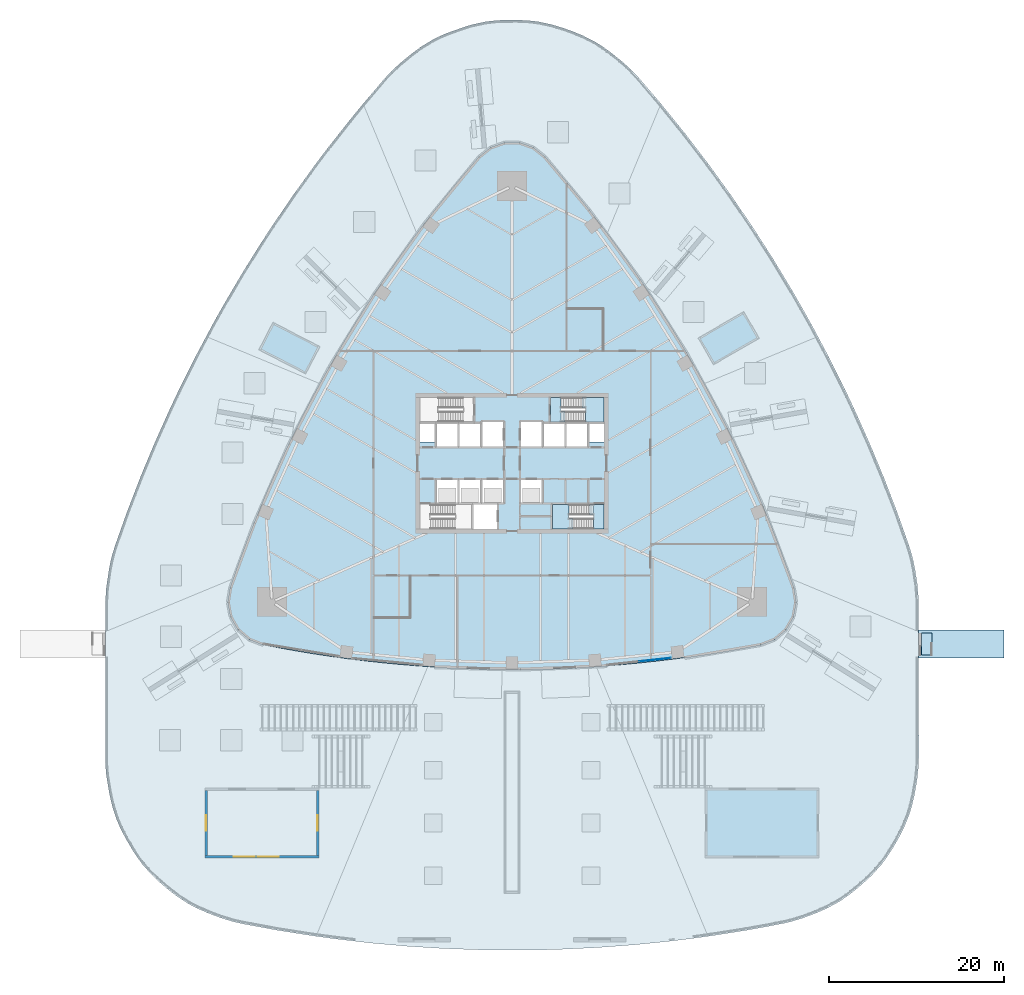
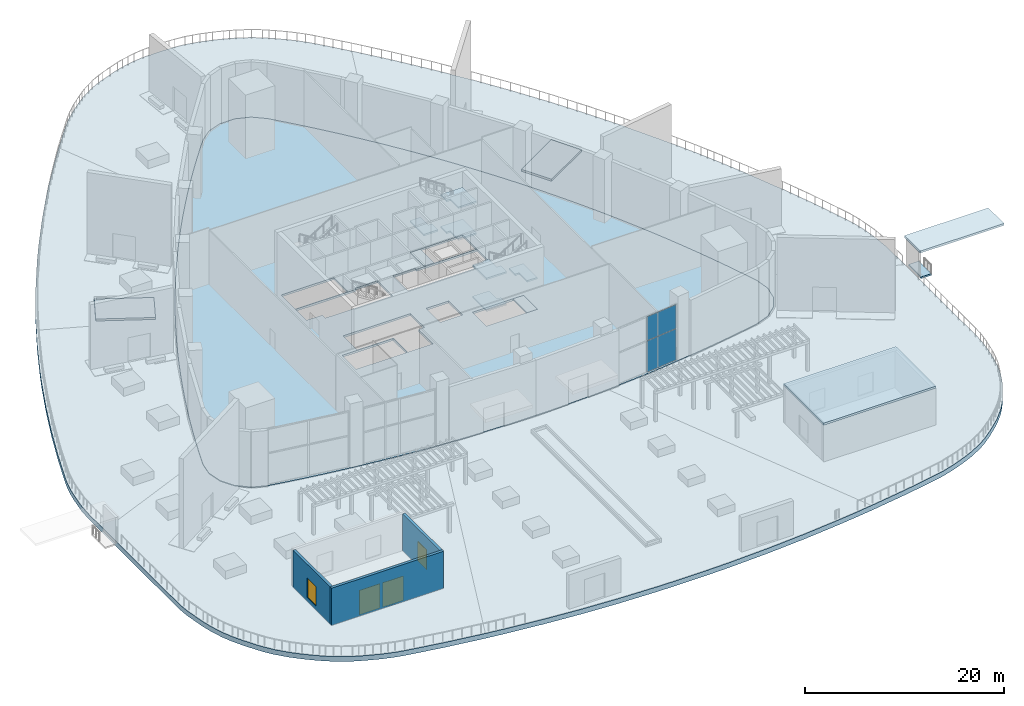
# One storey, part 7 of 20: 15 slabs, 3 walls, 2 doors, 2 plates, 2 windows, 4 openings, 3 elements without a shape of their own.
"""IFC4 building model written with IfcOpenShell, lengths in metres."""

from ifc_helpers import new_model, si_unit, direction, frame, frame_2d, origin, origin_2d, place, context, subcontext, project, spatial, polyline, rectangle, outline, extrude, material, layer, layer_set, type_object, element, fill, aggregate, save


model = new_model("IFC4")

# Units and contexts
model_context = context("Model", 3, precision=1e-05, world=origin(), true_north=direction((0.0, 1.0)))
body_context = subcontext(model_context, "Body", "Model", "MODEL_VIEW")
ifc_project = project(units=[si_unit("LENGTHUNIT", "METRE"), si_unit("AREAUNIT", "SQUARE_METRE"), si_unit("VOLUMEUNIT", "CUBIC_METRE"), si_unit("PLANEANGLEUNIT", "RADIAN"), si_unit("MASSUNIT", "GRAM", prefix="KILO")], contexts=[model_context])

# Site, building, storey
site_placement = place(None, origin())
site = spatial("IfcSite", under=ifc_project, at=site_placement, CompositionType="ELEMENT")
building_placement = place(site_placement, origin())
building = spatial("IfcBuilding", under=site, at=building_placement, Name="Sierra Prisma Convention Tower", CompositionType="ELEMENT")
storey_placement = place(building_placement, frame((0.0, 0.0, 9.0)))
storey = spatial("IfcBuildingStorey", under=building, at=storey_placement, Name="L01", CompositionType="ELEMENT", Elevation=9.0)

# Curtain wall, plates
ifc_material_1 = material(Name="Aluminium, bronze anodised", Category="aluminium")
ifc_layer_1 = layer(ifc_material_1, 0.199951171875)
ifc_layer_set_1 = layer_set([ifc_layer_1], Name="CW-3 curtain wall")
curtain_wall_type = type_object("IfcCurtainWallType", Name="CW-3 curtain wall", PredefinedType="NOTDEFINED", material=ifc_layer_set_1)
curtain_wall_placement = place(storey_placement, origin())
curtain_wall = element("IfcCurtainWall", 1, at=curtain_wall_placement, inside=storey, type_object=curtain_wall_type, Name="CW-3 curtain wall", PredefinedType="NOTDEFINED")
ifc_material_2 = material(Name="Tinted laminated glass", Category="glass")
ifc_layer_2 = layer(ifc_material_2, 0.028076171875)
ifc_layer_set_2 = layer_set([ifc_layer_2], Name="CW-3 panel 28 mm")
plate_type = type_object("IfcPlateType", Name="CW-3 panel 28 mm", PredefinedType="CURTAIN_PANEL", material=ifc_layer_set_2)
plate_1_placement = place(storey_placement, frame((16.2900390625, -22.39599609375, 0.06005859375), z_axis=(0.0, 0.0, 1.0), x_axis=(-0.994084801286, -0.10860666578, 0.0)))
plate_1 = element("IfcPlate", 2, at=plate_1_placement, type_object=plate_type, Name="CW-3 panel 1.1", PredefinedType="CURTAIN_PANEL", context=body_context, shape_type="SweptSolid", body=[
    extrude(rectangle(XDim=3.601806640625, YDim=0.028076171875, at=origin_2d()), origin(), (0.0, 0.0, 1.0), 3.81005859375),
])
plate_2_placement = place(storey_placement, frame((16.2900390625, -22.39599609375, 3.93017578125), z_axis=(0.0, 0.0, 1.0), x_axis=(-0.994084801286, -0.10860666578, 0.0)))
plate_2 = element("IfcPlate", 3, at=plate_2_placement, type_object=plate_type, Name="CW-3 panel 1.2", PredefinedType="CURTAIN_PANEL", context=body_context, shape_type="SweptSolid", body=[
    extrude(rectangle(XDim=3.601806640625, YDim=0.028076171875, at=origin_2d()), origin(), (0.0, 0.0, 1.0), 2.909912109375),
])
aggregate(curtain_wall, [plate_1, plate_2])

# Slabs
ifc_material_3 = material(Name="Concrete C35/45", Category="concrete")
ifc_layer_3 = layer(ifc_material_3, 0.25)
ifc_layer_set_3 = layer_set([ifc_layer_3], Name="Convention floor slab 250")
slab_type_1 = type_object("IfcSlabType", Name="Convention floor slab 250", PredefinedType="FLOOR", material=ifc_layer_set_3)
slab_1_placement = place(storey_placement, frame((0.0, 0.0, -0.25)))
element("IfcSlab", 4, at=slab_1_placement, inside=storey, type_object=slab_type_1, Name="Floor slab L01 tower", PredefinedType="FLOOR", context=body_context, shape_type="SweptSolid", body=[
    extrude(outline(polyline([(-28.3349609375, -20.696533203125), (-26.403564453125, -21.06884765625), (-24.467529296875, -21.414794921875), (-22.52685546875, -21.734375), (-20.581787109375, -22.027587890625), (-18.63330078125, -22.29443359375), (-16.68115234375, -22.53466796875), (-14.725830078125, -22.748291015625), (-12.767822265625, -22.93505859375), (-10.8076171875, -23.095458984375), (-8.845458984375, -23.229248046875), (-6.88134765625, -23.336181640625), (-4.916259765625, -23.41650390625), (-2.9501953125, -23.469970703125), (-0.9833984375, -23.49658203125), (0.9833984375, -23.49658203125), (2.9501953125, -23.469970703125), (4.916259765625, -23.41650390625), (6.88134765625, -23.336181640625), (8.845458984375, -23.229248046875), (10.8076171875, -23.095458984375), (12.767822265625, -22.93505859375), (14.725830078125, -22.748291015625), (16.68115234375, -22.53466796875), (18.63330078125, -22.29443359375), (20.581787109375, -22.027587890625), (22.52685546875, -21.734375), (24.467529296875, -21.414794921875), (26.403564453125, -21.06884765625), (28.3349609375, -20.696533203125), (29.913818359375, -20.089111328125), (31.199951171875, -18.989990234375), (32.045654296875, -17.52490234375), (32.354736328125, -15.861572265625), (32.091064453125, -14.1904296875), (31.447998046875, -12.331787109375), (30.779541015625, -10.48193359375), (30.0859375, -8.6416015625), (29.367431640625, -6.810546875), (28.6240234375, -4.98974609375), (27.85595703125, -3.178955078125), (27.0634765625, -1.37890625), (26.246337890625, 0.41015625), (25.405029296875, 2.18798828125), (24.539794921875, 3.954345703125), (23.650390625, 5.70849609375), (22.7373046875, 7.45068359375), (21.800537109375, 9.18017578125), (20.84033203125, 10.896728515625), (19.85693359375, 12.60009765625), (18.8505859375, 14.289794921875), (17.821044921875, 15.9658203125), (16.76904296875, 17.62744140625), (15.6943359375, 19.27490234375), (14.597412109375, 20.907470703125), (13.478515625, 22.52490234375), (12.337646484375, 24.126953125), (11.175048828125, 25.713623046875), (9.990966796875, 27.283935546875), (8.78564453125, 28.83837890625), (7.559326171875, 30.3759765625), (6.31201171875, 31.89697265625), (5.04443359375, 33.400634765625), (3.75634765625, 34.886962890625), (2.440673828125, 35.95068359375), (0.845947265625, 36.514892578125), (-0.845947265625, 36.514892578125), (-2.440673828125, 35.95068359375), (-3.75634765625, 34.886962890625), (-5.04443359375, 33.400634765625), (-6.31201171875, 31.89697265625), (-7.559326171875, 30.3759765625), (-8.78564453125, 28.83837890625), (-9.990966796875, 27.283935546875), (-11.175048828125, 25.713623046875), (-12.337646484375, 24.126953125), (-13.478515625, 22.52490234375), (-14.597412109375, 20.907470703125), (-15.6943359375, 19.27490234375), (-16.76904296875, 17.62744140625), (-17.821044921875, 15.9658203125), (-18.8505859375, 14.289794921875), (-19.85693359375, 12.60009765625), (-20.84033203125, 10.896728515625), (-21.800537109375, 9.18017578125), (-22.7373046875, 7.45068359375), (-23.650390625, 5.70849609375), (-24.539794921875, 3.954345703125), (-25.405029296875, 2.18798828125), (-26.246337890625, 0.41015625), (-27.0634765625, -1.37890625), (-27.85595703125, -3.178955078125), (-28.6240234375, -4.98974609375), (-29.367431640625, -6.810546875), (-30.0859375, -8.6416015625), (-30.779541015625, -10.48193359375), (-31.447998046875, -12.331787109375), (-32.091064453125, -14.1904296875), (-32.354736328125, -15.861572265625), (-32.045654296875, -17.52490234375), (-31.199951171875, -18.989990234375), (-29.913818359375, -20.089111328125), (-28.3349609375, -20.696533203125)]), holes=[polyline([(-4.60009765625, -7.5), (-10.5, -7.5), (-10.5, -4.699951171875), (-4.60009765625, -4.699951171875), (-4.60009765625, -7.5)]), polyline([(-8.699951171875, -4.60009765625), (-8.699951171875, -1.800048828125), (-6.10009765625, -1.800048828125), (-3.5, -1.800048828125), (-0.89990234375, -1.800048828125), (-0.89990234375, -4.60009765625), (-1.60009765625, -4.60009765625), (-1.60009765625, -7.5), (-4.5, -7.5), (-4.5, -4.60009765625), (-6.10009765625, -4.60009765625), (-8.699951171875, -4.60009765625)]), polyline([(-10.5, 4.60009765625), (-8.699951171875, 4.60009765625), (-6.10009765625, 4.60009765625), (-3.5, 4.60009765625), (-3.5, 4.800048828125), (-0.89990234375, 4.800048828125), (-0.89990234375, 1.800048828125), (-3.5, 1.800048828125), (-6.10009765625, 1.800048828125), (-8.699951171875, 1.800048828125), (-8.699951171875, 2.39990234375), (-10.5, 2.39990234375), (-10.5, 4.60009765625)]), polyline([(-4.39990234375, 4.699951171875), (-10.5, 4.699951171875), (-10.5, 7.5), (-4.39990234375, 7.5), (-4.39990234375, 4.699951171875)]), polyline([(10.5, -7.5), (4.60009765625, -7.5), (4.60009765625, -4.699951171875), (10.5, -4.699951171875), (10.5, -7.5)]), polyline([(3.5, -4.60009765625), (0.89990234375, -4.60009765625), (0.89990234375, -1.800048828125), (3.5, -1.800048828125), (3.5, -4.60009765625)]), polyline([(10.5, 4.60009765625), (10.5, 2.39990234375), (8.699951171875, 2.39990234375), (8.699951171875, 1.800048828125), (6.10009765625, 1.800048828125), (3.5, 1.800048828125), (0.89990234375, 1.800048828125), (0.89990234375, 4.800048828125), (3.5, 4.800048828125), (3.5, 4.60009765625), (6.10009765625, 4.60009765625), (8.699951171875, 4.60009765625), (10.5, 4.60009765625)]), polyline([(4.39990234375, 4.699951171875), (4.39990234375, 7.5), (10.5, 7.5), (10.5, 4.699951171875), (4.39990234375, 4.699951171875)])]), origin(), (0.0, 0.0, 1.0), 0.25),
])
ifc_material_4 = material(Name="Concrete C35/45", Category="concrete")
ifc_layer_4 = layer(ifc_material_4, 0.25)
ifc_layer_set_4 = layer_set([ifc_layer_4], Name="Exit stair head roof 250")
slab_type_2 = type_object("IfcSlabType", Name="Exit stair head roof 250", PredefinedType="ROOF", material=ifc_layer_set_4)
slab_2_placement = place(storey_placement, frame((0.0, 0.0, 3.199951171875)))
element("IfcSlab", 5, at=slab_2_placement, inside=storey, type_object=slab_type_2, Name="Exit stair east head roof", PredefinedType="ROOF", context=body_context, shape_type="SweptSolid", body=[
    extrude(outline(polyline([(56.069091796875, -22.175048828125), (56.069091796875, -19.02490234375), (46.34912109375, -19.02490234375), (46.34912109375, -22.175048828125), (56.069091796875, -22.175048828125)])), origin(), (0.0, 0.0, 1.0), 0.25),
])
ifc_material_5 = material(Name="Concrete C35/45", Category="concrete")
ifc_layer_5 = layer(ifc_material_5, 0.60009765625)
ifc_layer_set_5 = layer_set([ifc_layer_5], Name="Garden deck slab 600")
slab_type_3 = type_object("IfcSlabType", Name="Garden deck slab 600", PredefinedType="ROOF", material=ifc_layer_set_5)
slab_3_placement = place(storey_placement, frame((0.0, 0.0, -0.659912109375)))
element("IfcSlab", 6, at=slab_3_placement, inside=storey, type_object=slab_type_3, Name="Floor slab L01 deck", PredefinedType="ROOF", context=body_context, shape_type="SweptSolid", body=[
    extrude(outline(polyline([(3.1064453125, -55.468994140625), (5.262939453125, -55.412109375), (9.762939453125, -55.198974609375), (14.1328125, -54.868408203125), (18.167724609375, -54.455322265625), (20.376708984375, -54.185302734375), (22.702392578125, -53.8662109375), (26.708984375, -53.234375), (29.020263671875, -52.822021484375), (31.199951171875, -52.39208984375), (31.758056640625, -52.258544921875), (33.15185546875, -51.833251953125), (34.67578125, -51.25732421875), (35.86865234375, -50.73681640625), (37.2607421875, -49.982177734375), (38.199462890625, -49.348388671875), (39.225341796875, -48.547607421875), (40.50048828125, -47.436279296875), (41.031494140625, -46.927978515625), (42.09228515625, -45.75244140625), (42.765869140625, -44.841796875), (43.4658203125, -43.74462890625), (44.0283203125, -42.770263671875), (44.628662109375, -41.615478515625), (45.236572265625, -40.1533203125), (45.568115234375, -39.0703125), (45.8623046875, -37.802490234375), (46.15087890625, -36.1904296875), (46.31689453125, -34.686279296875), (46.3544921875, -33.632080078125), (46.346923828125, -15.666259765625), (46.206787109375, -13.87548828125), (45.954833984375, -12.228515625), (45.761962890625, -11.231201171875), (45.5478515625, -10.3740234375), (45.2490234375, -9.4033203125), (43.89208984375, -5.577392578125), (42.38720703125, -1.66455078125), (40.73095703125, 2.3193359375), (38.99560546875, 6.19482421875), (37.962158203125, 8.37841796875), (36.121826171875, 12.069091796875), (34.127197265625, 15.81787109375), (31.964111328125, 19.62939453125), (29.732666015625, 23.32177734375), (27.4013671875, 26.952392578125), (24.90185546875, 30.6181640625), (22.3740234375, 34.114501953125), (19.709716796875, 37.593994140625), (16.993896484375, 40.946533203125), (14.481201171875, 43.888427734375), (13.789794921875, 44.632568359375), (13.154296875, 45.24658203125), (12.38720703125, 45.912353515625), (11.4638671875, 46.658935546875), (10.41650390625, 47.431640625), (9.4609375, 48.03955078125), (8.048828125, 48.755859375), (6.84228515625, 49.243896484375), (5.781494140625, 49.618896484375), (4.53662109375, 49.998291015625), (2.988037109375, 50.3291015625), (1.86279296875, 50.457275390625), (0.5625, 50.514892578125), (-1.12890625, 50.498779296875), (-1.86279296875, 50.457275390625), (-2.988037109375, 50.3291015625), (-4.53662109375, 49.998291015625), (-5.242431640625, 49.792724609375), (-7.370849609375, 49.039794921875), (-8.048828125, 48.755859375), (-9.067138671875, 48.260009765625), (-10.41650390625, 47.431640625), (-11.4638671875, 46.658935546875), (-12.724609375, 45.626953125), (-13.789794921875, 44.632568359375), (-14.481201171875, 43.888427734375), (-16.993896484375, 40.946533203125), (-18.52587890625, 39.07861328125), (-21.07470703125, 35.83642578125), (-22.487548828125, 33.96142578125), (-24.90185546875, 30.6181640625), (-27.2958984375, 27.11083984375), (-28.615966796875, 25.087646484375), (-30.797607421875, 21.587890625), (-32.94775390625, 17.926025390625), (-34.127197265625, 15.81787109375), (-36.06591796875, 12.177978515625), (-37.962158203125, 8.37841796875), (-38.99560546875, 6.19482421875), (-40.73095703125, 2.3193359375), (-42.341796875, -1.551025390625), (-43.89208984375, -5.577392578125), (-45.2490234375, -9.4033203125), (-45.5478515625, -10.3740234375), (-45.761962890625, -11.231201171875), (-45.954833984375, -12.228515625), (-46.26611328125, -14.379638671875), (-46.3544921875, -16.05712890625), (-46.3544921875, -33.632080078125), (-46.31689453125, -34.686279296875), (-46.232666015625, -35.60009765625), (-45.8623046875, -37.802490234375), (-45.568115234375, -39.0703125), (-45.080322265625, -40.576904296875), (-44.628662109375, -41.615478515625), (-44.0283203125, -42.770263671875), (-43.1689453125, -44.22705078125), (-42.765869140625, -44.841796875), (-42.09228515625, -45.75244140625), (-41.031494140625, -46.927978515625), (-40.08056640625, -47.816650390625), (-39.225341796875, -48.547607421875), (-38.199462890625, -49.348388671875), (-36.873046875, -50.213134765625), (-35.86865234375, -50.73681640625), (-34.67578125, -51.25732421875), (-33.15185546875, -51.833251953125), (-31.758056640625, -52.258544921875), (-30.767822265625, -52.4853515625), (-26.776123046875, -53.222900390625), (-22.702392578125, -53.8662109375), (-20.30908203125, -54.19384765625), (-16.0908203125, -54.681396484375), (-11.9150390625, -55.051513671875), (-7.6767578125, -55.313720703125), (-3.364990234375, -55.4638671875), (-0.949462890625, -55.49658203125), (3.1064453125, -55.468994140625)]), holes=[polyline([(-28.3349609375, -20.696533203125), (-29.913818359375, -20.089111328125), (-31.199951171875, -18.989990234375), (-32.045654296875, -17.52490234375), (-32.354736328125, -15.861572265625), (-32.091064453125, -14.1904296875), (-31.447998046875, -12.331787109375), (-30.779541015625, -10.48193359375), (-30.0859375, -8.6416015625), (-29.367431640625, -6.810546875), (-28.6240234375, -4.98974609375), (-27.85595703125, -3.178955078125), (-27.0634765625, -1.37890625), (-26.246337890625, 0.41015625), (-25.405029296875, 2.18798828125), (-24.539794921875, 3.954345703125), (-23.650390625, 5.70849609375), (-22.7373046875, 7.45068359375), (-21.800537109375, 9.18017578125), (-20.84033203125, 10.896728515625), (-19.85693359375, 12.60009765625), (-18.8505859375, 14.289794921875), (-17.821044921875, 15.9658203125), (-16.76904296875, 17.62744140625), (-15.6943359375, 19.27490234375), (-14.597412109375, 20.907470703125), (-13.478515625, 22.52490234375), (-12.337646484375, 24.126953125), (-11.175048828125, 25.713623046875), (-9.990966796875, 27.283935546875), (-8.78564453125, 28.83837890625), (-7.559326171875, 30.3759765625), (-6.31201171875, 31.89697265625), (-5.04443359375, 33.400634765625), (-3.75634765625, 34.886962890625), (-2.440673828125, 35.95068359375), (-0.845947265625, 36.514892578125), (0.845947265625, 36.514892578125), (2.440673828125, 35.95068359375), (3.75634765625, 34.886962890625), (5.04443359375, 33.400634765625), (6.31201171875, 31.89697265625), (7.559326171875, 30.3759765625), (8.78564453125, 28.83837890625), (9.990966796875, 27.283935546875), (11.175048828125, 25.713623046875), (12.337646484375, 24.126953125), (13.478515625, 22.52490234375), (14.597412109375, 20.907470703125), (15.6943359375, 19.27490234375), (16.76904296875, 17.62744140625), (17.821044921875, 15.9658203125), (18.8505859375, 14.289794921875), (19.85693359375, 12.60009765625), (20.84033203125, 10.896728515625), (21.800537109375, 9.18017578125), (22.7373046875, 7.45068359375), (23.650390625, 5.70849609375), (24.539794921875, 3.954345703125), (25.405029296875, 2.18798828125), (26.246337890625, 0.41015625), (27.0634765625, -1.37890625), (27.85595703125, -3.178955078125), (28.6240234375, -4.98974609375), (29.367431640625, -6.810546875), (30.0859375, -8.6416015625), (30.779541015625, -10.48193359375), (31.447998046875, -12.331787109375), (32.091064453125, -14.1904296875), (32.354736328125, -15.861572265625), (32.045654296875, -17.52490234375), (31.199951171875, -18.989990234375), (29.913818359375, -20.089111328125), (28.3349609375, -20.696533203125), (26.403564453125, -21.06884765625), (24.467529296875, -21.414794921875), (22.52685546875, -21.734375), (20.581787109375, -22.027587890625), (18.63330078125, -22.29443359375), (16.68115234375, -22.53466796875), (14.725830078125, -22.748291015625), (12.767822265625, -22.93505859375), (10.8076171875, -23.095458984375), (8.845458984375, -23.229248046875), (6.88134765625, -23.336181640625), (4.916259765625, -23.41650390625), (2.9501953125, -23.469970703125), (0.9833984375, -23.49658203125), (-0.9833984375, -23.49658203125), (-2.9501953125, -23.469970703125), (-4.916259765625, -23.41650390625), (-6.88134765625, -23.336181640625), (-8.845458984375, -23.229248046875), (-10.8076171875, -23.095458984375), (-12.767822265625, -22.93505859375), (-14.725830078125, -22.748291015625), (-16.68115234375, -22.53466796875), (-18.63330078125, -22.29443359375), (-20.581787109375, -22.027587890625), (-22.52685546875, -21.734375), (-24.467529296875, -21.414794921875), (-26.403564453125, -21.06884765625), (-28.3349609375, -20.696533203125)])]), origin(), (0.0, 0.0, 1.0), 0.599853515625),
])
ifc_material_6 = material(Name="Concrete C35/45", Category="concrete")
ifc_layer_6 = layer(ifc_material_6, 0.25)
ifc_layer_set_6 = layer_set([ifc_layer_6], Name="Pavilion roof slab 250")
slab_type_4 = type_object("IfcSlabType", Name="Pavilion roof slab 250", PredefinedType="ROOF", material=ifc_layer_set_6)
slab_4_placement = place(storey_placement, frame((0.0, 0.0, 4.5)))
element("IfcSlab", 7, at=slab_4_placement, inside=storey, type_object=slab_type_4, Name="East welcome pavilion roof", PredefinedType="ROOF", context=body_context, shape_type="SweptSolid", body=[
    extrude(outline(polyline([(22.0, -45.0), (35.0, -45.0), (35.0, -37.0), (22.0, -37.0), (22.0, -45.0)])), origin(), (0.0, 0.0, 1.0), 0.25),
])
ifc_material_7 = material(Name="Concrete C35/45", Category="concrete")
ifc_layer_7 = layer(ifc_material_7, 0.199951171875)
ifc_layer_set_7 = layer_set([ifc_layer_7], Name="Stair landing slab")
slab_type_5 = type_object("IfcSlabType", Name="Stair landing slab", PredefinedType="LANDING", material=ifc_layer_set_7)
slab_5_placement = place(storey_placement, frame((0.0, 0.0, -0.199951171875)))
element("IfcSlab", 8, at=slab_5_placement, inside=storey, type_object=slab_type_5, Name="EX2 floor landing L01", PredefinedType="LANDING", context=body_context, shape_type="SweptSolid", body=[
    extrude(outline(polyline([(46.649169921875, -21.875), (47.85107421875, -21.875), (47.85107421875, -19.324951171875), (46.649169921875, -19.324951171875), (46.649169921875, -21.875)])), origin(), (0.0, 0.0, 1.0), 0.199951171875),
])

# Stair, slabs
ifc_material_8 = material(Name="Concrete C30/37", Category="concrete")
stair_type = type_object("IfcStairType", Name="Stair dog-leg 1200 RC", PredefinedType="HALF_TURN_STAIR", material=ifc_material_8)
stair_1_placement = place(storey_placement, origin())
stair_1 = element("IfcStair", 9, at=stair_1_placement, inside=storey, type_object=stair_type, Name="L01 S2", PredefinedType="HALF_TURN_STAIR")
slab_6_placement = place(storey_placement, frame((0.0, 0.0, 1.75)))
slab_6 = element("IfcSlab", 10, at=slab_6_placement, type_object=slab_type_5, Name="S2 landing 1", PredefinedType="LANDING", context=body_context, shape_type="SweptSolid", body=[
    extrude(outline(polyline([(6.949951171875, -6.300048828125), (6.949951171875, -7.5), (4.60009765625, -7.5), (4.60009765625, -4.699951171875), (6.501953125, -4.699951171875), (6.501953125, -6.300048828125), (6.949951171875, -6.300048828125)])), origin(), (0.0, 0.0, 1.0), 0.199951171875),
])
slab_7_placement = place(storey_placement, frame((0.0, 0.0, 3.699951171875)))
slab_7 = element("IfcSlab", 11, at=slab_7_placement, type_object=slab_type_5, Name="S2 landing 2", PredefinedType="LANDING", context=body_context, shape_type="SweptSolid", body=[
    extrude(outline(polyline([(10.5, -4.699951171875), (10.5, -7.5), (9.298095703125, -7.5), (9.298095703125, -5.89990234375), (8.85009765625, -5.89990234375), (8.85009765625, -4.699951171875), (10.5, -4.699951171875)])), origin(), (0.0, 0.0, 1.0), 0.199951171875),
])
slab_8_placement = place(storey_placement, frame((0.0, 0.0, 5.64990234375)))
slab_8 = element("IfcSlab", 12, at=slab_8_placement, type_object=slab_type_5, Name="S2 landing 3", PredefinedType="LANDING", context=body_context, shape_type="SweptSolid", body=[
    extrude(outline(polyline([(6.949951171875, -6.300048828125), (6.949951171875, -7.5), (4.60009765625, -7.5), (4.60009765625, -4.699951171875), (6.501953125, -4.699951171875), (6.501953125, -6.300048828125), (6.949951171875, -6.300048828125)])), origin(), (0.0, 0.0, 1.0), 0.2001953125),
])
aggregate(stair_1, [slab_6, slab_7, slab_8])

# Slab
slab_9_placement = place(storey_placement, frame((0.0, 0.0, -0.199951171875)))
element("IfcSlab", 13, at=slab_9_placement, inside=storey, type_object=slab_type_5, Name="S2 floor landing L01", PredefinedType="LANDING", context=body_context, shape_type="SweptSolid", body=[
    extrude(outline(polyline([(10.5, -4.699951171875), (9.298095703125, -4.699951171875), (9.298095703125, -7.5), (10.5, -7.5), (10.5, -4.699951171875)])), origin(), (0.0, 0.0, 1.0), 0.199951171875),
])

# Stair, slabs
stair_2_placement = place(storey_placement, origin())
stair_2 = element("IfcStair", 14, at=stair_2_placement, inside=storey, type_object=stair_type, Name="L01 S4", PredefinedType="HALF_TURN_STAIR")
slab_10_placement = place(storey_placement, frame((0.0, 0.0, 1.75)))
slab_10 = element("IfcSlab", 15, at=slab_10_placement, type_object=slab_type_5, Name="S4 landing 1", PredefinedType="LANDING", context=body_context, shape_type="SweptSolid", body=[
    extrude(outline(polyline([(10.5, 7.5), (10.5, 4.699951171875), (8.39794921875, 4.699951171875), (8.39794921875, 6.300048828125), (7.949951171875, 6.300048828125), (7.949951171875, 7.5), (10.5, 7.5)])), origin(), (0.0, 0.0, 1.0), 0.199951171875),
])
slab_11_placement = place(storey_placement, frame((0.0, 0.0, 3.699951171875)))
slab_11 = element("IfcSlab", 16, at=slab_11_placement, type_object=slab_type_5, Name="S4 landing 2", PredefinedType="LANDING", context=body_context, shape_type="SweptSolid", body=[
    extrude(outline(polyline([(4.39990234375, 4.699951171875), (4.39990234375, 7.5), (5.60205078125, 7.5), (5.60205078125, 5.89990234375), (6.050048828125, 5.89990234375), (6.050048828125, 4.699951171875), (4.39990234375, 4.699951171875)])), origin(), (0.0, 0.0, 1.0), 0.199951171875),
])
slab_12_placement = place(storey_placement, frame((0.0, 0.0, 5.64990234375)))
slab_12 = element("IfcSlab", 17, at=slab_12_placement, type_object=slab_type_5, Name="S4 landing 3", PredefinedType="LANDING", context=body_context, shape_type="SweptSolid", body=[
    extrude(outline(polyline([(10.5, 7.5), (10.5, 4.699951171875), (8.39794921875, 4.699951171875), (8.39794921875, 6.300048828125), (7.949951171875, 6.300048828125), (7.949951171875, 7.5), (10.5, 7.5)])), origin(), (0.0, 0.0, 1.0), 0.2001953125),
])
aggregate(stair_2, [slab_10, slab_11, slab_12])

# Slabs
slab_13_placement = place(storey_placement, frame((0.0, 0.0, -0.199951171875)))
element("IfcSlab", 18, at=slab_13_placement, inside=storey, type_object=slab_type_5, Name="S4 floor landing L01", PredefinedType="LANDING", context=body_context, shape_type="SweptSolid", body=[
    extrude(outline(polyline([(4.39990234375, 4.699951171875), (5.60205078125, 4.699951171875), (5.60205078125, 7.5), (4.39990234375, 7.5), (4.39990234375, 4.699951171875)])), origin(), (0.0, 0.0, 1.0), 0.199951171875),
])
ifc_material_9 = material(Name="Concrete C30/37", Category="concrete")
ifc_layer_8 = layer(ifc_material_9, 0.239990234375)
ifc_layer_set_8 = layer_set([ifc_layer_8], Name="Water mirror basin slab 240")
slab_type_6 = type_object("IfcSlabType", Name="Water mirror basin slab 240", PredefinedType="FLOOR", material=ifc_layer_set_8)
slab_14_placement = place(storey_placement, frame((0.0, 0.0, -0.06005859375)))
element("IfcSlab", 19, at=slab_14_placement, inside=storey, type_object=slab_type_6, Name="Water mirror basin 2", PredefinedType="FLOOR", context=body_context, shape_type="SweptSolid", body=[
    extrude(outline(polyline([(28.162353515625, 14.239013671875), (26.412353515625, 17.270263671875), (21.21630859375, 14.27001953125), (22.96630859375, 11.239013671875), (28.162353515625, 14.239013671875)])), origin(), (0.0, 0.0, 1.0), 0.239990234375),
])
slab_15_placement = place(storey_placement, frame((0.0, 0.0, -0.06005859375)))
element("IfcSlab", 20, at=slab_15_placement, inside=storey, type_object=slab_type_6, Name="Water mirror basin 3", PredefinedType="FLOOR", context=body_context, shape_type="SweptSolid", body=[
    extrude(outline(polyline([(-27.236083984375, 16.0478515625), (-28.843017578125, 12.938720703125), (-23.512939453125, 10.18359375), (-21.906005859375, 13.29296875), (-27.236083984375, 16.0478515625)])), origin(), (0.0, 0.0, 1.0), 0.239990234375),
])

# Wall, openings, doors
ifc_material_10 = material(Name="Concrete C35/45, rose plaster finish", Category="concrete")
ifc_layer_9 = layer(ifc_material_10, 0.300048828125)
ifc_layer_set_9 = layer_set([ifc_layer_9], Name="Pavilion plastered wall 300")
wall_type = type_object("IfcWallType", Name="Pavilion plastered wall 300", PredefinedType="STANDARD", material=ifc_layer_set_9)
wall_1_placement = place(storey_placement, frame((-22.0, -44.85009765625, -0.06005859375), z_axis=(0.0, 0.0, 1.0), x_axis=(-1.0, 0.0, 0.0)))
wall_1 = element("IfcWall", 21, at=wall_1_placement, inside=storey, type_object=wall_type, Name="West welcome pavilion wall", PredefinedType="STANDARD", context=body_context, shape_type="SweptSolid", body=[
    extrude(rectangle(XDim=13.0, YDim=0.300048828125, at=frame_2d((6.5, 0.0))), origin(), (0.0, 0.0, 1.0), 4.56005859375),
])
opening_1_placement = place(wall_1_placement, frame((4.60009765625, 0.0, 0.06005859375)))
opening_1 = element("IfcOpeningElement", 22, at=opening_1_placement, cuts=wall_1, Name="Opening L01-D049", PredefinedType="OPENING", context=body_context, shape_type="SweptSolid", body=[
    extrude(rectangle(XDim=2.39990234375, YDim=3.0, at=frame_2d((1.199951171875, 1.5))), frame((0.0, 0.14990234375, 0.0), z_axis=(0.0, -1.0, 0.0), x_axis=(1.0, 0.0, 0.0)), (0.0, 0.0, 1.0), 0.300048828125),
])
opening_2_placement = place(wall_1_placement, frame((7.300048828125, 0.0, 0.06005859375)))
opening_2 = element("IfcOpeningElement", 23, at=opening_2_placement, cuts=wall_1, Name="Opening L01-D050", PredefinedType="OPENING", context=body_context, shape_type="SweptSolid", body=[
    extrude(rectangle(XDim=2.39990234375, YDim=3.0, at=frame_2d((1.199951171875, 1.5))), frame((0.0, 0.14990234375, 0.0), z_axis=(0.0, -1.0, 0.0), x_axis=(1.0, 0.0, 0.0)), (0.0, 0.0, 1.0), 0.300048828125),
])
ifc_material_11 = material(Name="Bronze anodised aluminium and glass", Category="aluminium")
door_type = type_object("IfcDoorType", Name="Pavilion entrance double 2400 x 3000", OperationType="DOUBLE_DOOR_SINGLE_SWING", PredefinedType="DOOR", material=ifc_material_11)
door_1_placement = place(opening_1_placement, origin())
door_1 = element("IfcDoor", 24, at=door_1_placement, inside=storey, type_object=door_type, Name="Pavilion entrance door", OperationType="DOUBLE_DOOR_SINGLE_SWING", OverallHeight=3.0, OverallWidth=2.39990234375, PredefinedType="DOOR", context=body_context, shape_type="SweptSolid", body=[
    extrude(rectangle(XDim=2.39990234375, YDim=3.0, at=frame_2d((1.199951171875, 1.5))), frame((0.0, 0.02490234375, 0.0), z_axis=(0.0, -1.0, 0.0), x_axis=(1.0, 0.0, 0.0)), (0.0, 0.0, 1.0), 0.050048828125),
])
fill(opening_1, door_1)
door_2_placement = place(opening_2_placement, origin())
door_2 = element("IfcDoor", 25, at=door_2_placement, inside=storey, type_object=door_type, Name="Pavilion entrance door", OperationType="DOUBLE_DOOR_SINGLE_SWING", OverallHeight=3.0, OverallWidth=2.39990234375, PredefinedType="DOOR", context=body_context, shape_type="SweptSolid", body=[
    extrude(rectangle(XDim=2.39990234375, YDim=3.0, at=frame_2d((1.199951171875, 1.5))), frame((0.0, 0.02490234375, 0.0), z_axis=(0.0, -1.0, 0.0), x_axis=(1.0, 0.0, 0.0)), (0.0, 0.0, 1.0), 0.050048828125),
])
fill(opening_2, door_2)

# Wall, opening, window
wall_2_placement = place(storey_placement, frame((-34.85009765625, -37.300048828125, -0.06005859375), z_axis=(0.0, 0.0, 1.0), x_axis=(0.0, -1.0, 0.0)))
wall_2 = element("IfcWall", 26, at=wall_2_placement, inside=storey, type_object=wall_type, Name="West welcome pavilion wall", PredefinedType="STANDARD", context=body_context, shape_type="SweptSolid", body=[
    extrude(rectangle(XDim=7.39990234375, YDim=0.300048828125, at=frame_2d((3.699951171875, 0.0))), origin(), (0.0, 0.0, 1.0), 4.56005859375),
])
opening_3_placement = place(wall_2_placement, frame((2.800048828125, 0.0, 0.4599609375)))
opening_3 = element("IfcOpeningElement", 27, at=opening_3_placement, cuts=wall_2, Name="Opening L01-W07", PredefinedType="OPENING", context=body_context, shape_type="SweptSolid", body=[
    extrude(rectangle(XDim=1.800048828125, YDim=2.39990234375, at=frame_2d((0.89990234375, 1.199951171875))), frame((0.0, 0.14990234375, 0.0), z_axis=(0.0, -1.0, 0.0), x_axis=(1.0, 0.0, 0.0)), (0.0, 0.0, 1.0), 0.300048828125),
])
ifc_material_12 = material(Name="Tinted glass, bronze aluminium frame", Category="aluminium")
window_type = type_object("IfcWindowType", Name="Pavilion window 1800 x 2400", PartitioningType="SINGLE_PANEL", PredefinedType="WINDOW", material=ifc_material_12)
window_1_placement = place(opening_3_placement, origin())
window_1 = element("IfcWindow", 28, at=window_1_placement, inside=storey, type_object=window_type, Name="Pavilion window", OverallHeight=2.39990234375, OverallWidth=1.800048828125, PartitioningType="SINGLE_PANEL", PredefinedType="WINDOW", context=body_context, shape_type="SweptSolid", body=[
    extrude(rectangle(XDim=1.800048828125, YDim=2.39990234375, at=frame_2d((0.89990234375, 1.199951171875))), frame((0.0, 0.030029296875, 0.0), z_axis=(0.0, -1.0, 0.0), x_axis=(1.0, 0.0, 0.0)), (0.0, 0.0, 1.0), 0.06005859375),
])
fill(opening_3, window_1)

wall_3_placement = place(storey_placement, frame((-22.14990234375, -44.699951171875, -0.06005859375), z_axis=(0.0, 0.0, 1.0), x_axis=(0.0, 1.0, 0.0)))
wall_3 = element("IfcWall", 29, at=wall_3_placement, inside=storey, type_object=wall_type, Name="West welcome pavilion wall", PredefinedType="STANDARD", context=body_context, shape_type="SweptSolid", body=[
    extrude(rectangle(XDim=7.39990234375, YDim=0.300048828125, at=frame_2d((3.699951171875, 0.0))), origin(), (0.0, 0.0, 1.0), 4.56005859375),
])
opening_4_placement = place(wall_3_placement, frame((2.800048828125, 0.0, 0.4599609375)))
opening_4 = element("IfcOpeningElement", 30, at=opening_4_placement, cuts=wall_3, Name="Opening L01-W08", PredefinedType="OPENING", context=body_context, shape_type="SweptSolid", body=[
    extrude(rectangle(XDim=1.800048828125, YDim=2.39990234375, at=frame_2d((0.89990234375, 1.199951171875))), frame((0.0, 0.14990234375, 0.0), z_axis=(0.0, -1.0, 0.0), x_axis=(1.0, 0.0, 0.0)), (0.0, 0.0, 1.0), 0.300048828125),
])
window_2_placement = place(opening_4_placement, origin())
window_2 = element("IfcWindow", 31, at=window_2_placement, inside=storey, type_object=window_type, Name="Pavilion window", OverallHeight=2.39990234375, OverallWidth=1.800048828125, PartitioningType="SINGLE_PANEL", PredefinedType="WINDOW", context=body_context, shape_type="SweptSolid", body=[
    extrude(rectangle(XDim=1.800048828125, YDim=2.39990234375, at=frame_2d((0.89990234375, 1.199951171875))), frame((0.0, 0.030029296875, 0.0), z_axis=(0.0, -1.0, 0.0), x_axis=(1.0, 0.0, 0.0)), (0.0, 0.0, 1.0), 0.06005859375),
])
fill(opening_4, window_2)

save(model, "model.ifc")
